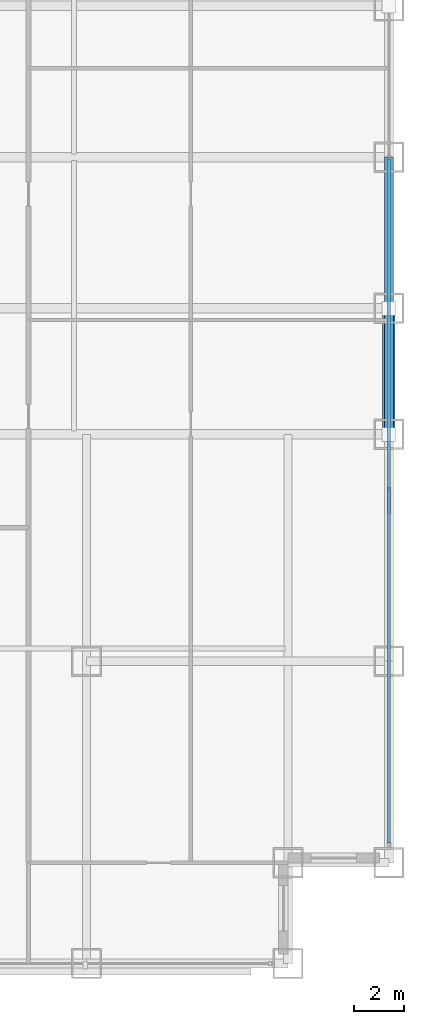
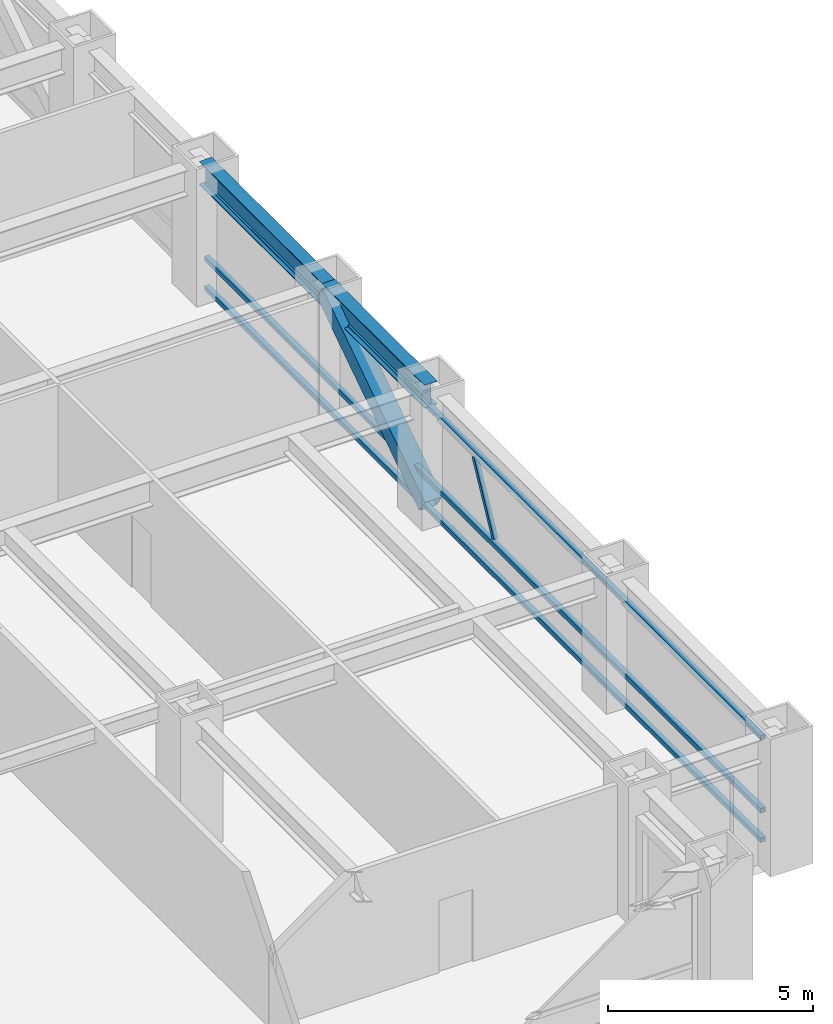
# One storey, part 13 of 32: 5 members, 2 beams, 1 element without a shape of its own.
"""IFC4 building model written with IfcOpenShell, lengths in metres."""

import ifcopenshell
import ifcopenshell.guid

model = None  # the IFC model being written
_history = None  # IfcOwnerHistory: only IFC2X3 demands one
_inside = {}  # id of a spatial element -> (the spatial element, [elements in it])
_under = {}  # id of a project, library or spatial element -> (it, [spatial elements below it])
_declared = {}  # id of a project -> (the project, [libraries it declares])
_typed = {}  # id of a type object -> (the type object, [elements of that type])
_made_of = {}  # id of a material, layer set ... -> (it, [elements and type objects made of it])


def new_model(schema):
    """Start an empty IFC model of exactly this schema.

    Asked for "IFC4X3", IfcOpenShell would pick the latest addendum, in which some entities
    have other attributes; the version numbers below select the first issue.
    IFC2X3 requires an IfcOwnerHistory on every rooted entity: one is made here for all.
    """
    global model, _history
    if schema == "IFC4X3":
        model = ifcopenshell.file(schema_version=(4, 3, 0, 0))
    else:
        model = ifcopenshell.file(schema=schema)
    _inside.clear()
    _under.clear()
    _declared.clear()
    _typed.clear()
    _made_of.clear()
    _history = None
    if model.schema == "IFC2X3":
        org = make("IfcOrganization", Name="unknown")
        user = make(
            "IfcPersonAndOrganization",
            ThePerson=make("IfcPerson", FamilyName="unknown"),
            TheOrganization=org,
        )
        app = make(
            "IfcApplication",
            ApplicationDeveloper=org,
            Version="unknown",
            ApplicationFullName="unknown",
            ApplicationIdentifier="unknown",
        )
        _history = make(
            "IfcOwnerHistory",
            OwningUser=user,
            OwningApplication=app,
            ChangeAction="ADDED",
            CreationDate=0,
        )
    return model


def make(cls, **values):
    """One entity of the class cls with the attributes given. An attribute that is None is left unset."""
    return model.create_entity(
        cls, **{name: value for name, value in values.items() if value is not None}
    )


def rooted(cls, **values):
    """An entity with a GlobalId (a new one), such as an element, a storey or a relation."""
    return make(cls, GlobalId=ifcopenshell.guid.new(), OwnerHistory=_history, **values)


def si_unit(unit_type, name, prefix=None):
    """IfcSIUnit, for example si_unit("LENGTHUNIT", "METRE", prefix="MILLI")."""
    return make("IfcSIUnit", UnitType=unit_type, Prefix=prefix, Name=name)


def assignment(units):
    """IfcUnitAssignment: the units of a project."""
    return None if units is None else make("IfcUnitAssignment", Units=units)


def point(xyz):
    """IfcCartesianPoint."""
    return None if xyz is None else make("IfcCartesianPoint", Coordinates=xyz)


def direction(xyz):
    """IfcDirection."""
    return None if xyz is None else make("IfcDirection", DirectionRatios=xyz)


def frame(location, z_axis=None, x_axis=None):
    """IfcAxis2Placement3D, a coordinate frame: its origin and axes. An axis left out is left unset."""
    return make(
        "IfcAxis2Placement3D",
        Location=point(location),
        Axis=direction(z_axis),
        RefDirection=direction(x_axis),
    )


def frame_2d(location, x_axis=None):
    """IfcAxis2Placement2D, a coordinate frame in the plane: its origin and x axis."""
    return make(
        "IfcAxis2Placement2D", Location=point(location), RefDirection=direction(x_axis)
    )


def origin():
    """The frame at (0, 0, 0) with its axes left unset."""
    return frame((0.0, 0.0, 0.0))


def origin_2d():
    """The frame at (0, 0) in the plane with its x axis left unset."""
    return frame_2d((0.0, 0.0))


def place(relative_to, where):
    """IfcLocalPlacement: puts the frame where relative to a parent placement (None: the world)."""
    return make(
        "IfcLocalPlacement", PlacementRelTo=relative_to, RelativePlacement=where
    )


def context(
    kind, dimensions, precision=None, world=None, true_north=None, identifier=None
):
    """IfcGeometricRepresentationContext, for example the 3D "Model" context."""
    return make(
        "IfcGeometricRepresentationContext",
        ContextIdentifier=identifier,
        ContextType=kind,
        CoordinateSpaceDimension=dimensions,
        Precision=precision,
        WorldCoordinateSystem=world,
        TrueNorth=true_north,
    )


def subcontext(parent, identifier, kind, view, scale=None):
    """IfcGeometricRepresentationSubContext, for example "Body" below "Model"."""
    return make(
        "IfcGeometricRepresentationSubContext",
        ContextIdentifier=identifier,
        ContextType=kind,
        ParentContext=parent,
        TargetScale=scale,
        TargetView=view,
    )


def project(units=None, contexts=None):
    """IfcProject with its units and contexts."""
    return rooted(
        "IfcProject",
        Name="project",
        RepresentationContexts=contexts,
        UnitsInContext=assignment(units),
    )


def spatial(cls, under=None, at=None, **own):
    """A site, building, storey or space (cls), placed at a placement, below another one or the project."""
    s = rooted(cls, ObjectPlacement=at, **own)
    if under is not None:
        _under.setdefault(under.id(), (under, []))[1].append(s)
    return s


def profile(cls, at=None, kind="AREA", **sizes):
    """A parametric profile (cls). Its sizes go by their IFC names, for example OverallWidth=200.0."""
    return make(cls, ProfileType=kind, Position=at, **sizes)


def hollow_rectangle(**sizes):
    """IfcRectangleHollowProfileDef."""
    return profile("IfcRectangleHollowProfileDef", **sizes)


def i_section(**sizes):
    """IfcIShapeProfileDef."""
    return profile("IfcIShapeProfileDef", **sizes)


def extrude(swept, where, along, depth):
    """IfcExtrudedAreaSolid: the profile swept, set in the frame where, extruded along a direction by depth."""
    return make(
        "IfcExtrudedAreaSolid",
        SweptArea=swept,
        Position=where,
        ExtrudedDirection=direction(along),
        Depth=depth,
    )


def shape(context_of_items, identifier, shape_type, items):
    """IfcShapeRepresentation: the items that make up one representation, for example the "Body"."""
    return make(
        "IfcShapeRepresentation",
        ContextOfItems=context_of_items,
        RepresentationIdentifier=identifier,
        RepresentationType=shape_type,
        Items=items,
    )


def source(mapping_origin, context_of_items, identifier, shape_type, items):
    """IfcRepresentationMap: a shape defined once, which mapped items show again and again."""
    return make(
        "IfcRepresentationMap",
        MappingOrigin=mapping_origin,
        MappedRepresentation=shape(context_of_items, identifier, shape_type, items),
    )


def transform(
    local_origin,
    x_axis=None,
    y_axis=None,
    z_axis=None,
    scale=None,
    scale2=None,
    scale3=None,
    uniform=True,
):
    """IfcCartesianTransformationOperator3D, or its non-uniform kind. x_axis, y_axis, z_axis: its Axis1, 2, 3."""
    if uniform:
        return make(
            "IfcCartesianTransformationOperator3D",
            Axis1=direction(x_axis),
            Axis2=direction(y_axis),
            LocalOrigin=point(local_origin),
            Scale=scale,
            Axis3=direction(z_axis),
        )
    return make(
        "IfcCartesianTransformationOperator3DnonUniform",
        Axis1=direction(x_axis),
        Axis2=direction(y_axis),
        LocalOrigin=point(local_origin),
        Scale=scale,
        Axis3=direction(z_axis),
        Scale2=scale2,
        Scale3=scale3,
    )


def mapped(mapping_source, mapping_target):
    """IfcMappedItem: shows the shape of a source again, moved by a transform."""
    return make(
        "IfcMappedItem", MappingSource=mapping_source, MappingTarget=mapping_target
    )


def material(Name=None, Category=None):
    """IfcMaterial."""
    return make("IfcMaterial", Name=Name, Category=Category)


def material_profile(
    of_material, cross_section, Name=None, Category=None, Priority=None
):
    """IfcMaterialProfile: a cross section and its material."""
    return make(
        "IfcMaterialProfile",
        Name=Name,
        Material=of_material,
        Profile=cross_section,
        Priority=Priority,
        Category=Category,
    )


def profile_set(profiles, Name=None, composite=None):
    """IfcMaterialProfileSet."""
    return make(
        "IfcMaterialProfileSet",
        Name=Name,
        MaterialProfiles=profiles,
        CompositeProfile=composite,
    )


def made_of(thing, what):
    """Note that an element or type object is made of a material, layer set ...; save() writes the relation."""
    if what is not None:
        _made_of.setdefault(what.id(), (what, []))[1].append(thing)
    return thing


def type_object(cls, material=None, **own):
    """A type object (cls), such as IfcWallType, which elements share."""
    return made_of(rooted(cls, **own), material)


def element(
    cls,
    number,
    at=None,
    inside=None,
    cuts=None,
    type_object=None,
    material=None,
    context=None,
    identifier="Body",
    shape_type=None,
    held_by="IfcProductDefinitionShape",
    body=None,
    shapes=None,
    **own,
):
    """One element of the class cls, such as IfcWall. Its Tag is "e" and its number.

    at: its placement. inside: the storey or other place that contains it. cuts: it is an
    opening in that element (IfcRelVoidsElement). A single representation is given by context,
    identifier, shape_type and body (its items); several are given by shapes. held_by: the class
    of the entity that holds the representations. save() writes the other relations.
    """
    e = rooted(cls, Tag="e%d" % number, ObjectPlacement=at, **own)
    if body is not None:
        shapes = [shape(context, identifier, shape_type, body)]
    if shapes is not None:
        e.Representation = make(held_by, Representations=shapes)
    if inside is not None:
        _inside.setdefault(inside.id(), (inside, []))[1].append(e)
    if cuts is not None:
        rooted(
            "IfcRelVoidsElement", RelatingBuildingElement=cuts, RelatedOpeningElement=e
        )
    if type_object is not None:
        _typed.setdefault(type_object.id(), (type_object, []))[1].append(e)
    return made_of(e, material)


def aggregate(whole, parts):
    """IfcRelAggregates: a whole, such as a stair, and the parts it consists of."""
    return rooted("IfcRelAggregates", RelatingObject=whole, RelatedObjects=parts)


def save(model, path):
    """Write the relations noted so far, then the file.

    IfcRelAggregates (storeys below a building ...), IfcRelContainedInSpatialStructure (elements
    in a storey), IfcRelDefinesByType, IfcRelAssociatesMaterial and IfcRelDeclares: one each for
    every whole, place, type object, material and project.
    """
    for whole, parts in _under.values():
        aggregate(whole, parts)
    for where, things in _inside.values():
        rooted(
            "IfcRelContainedInSpatialStructure",
            RelatedElements=things,
            RelatingStructure=where,
        )
    for kind, things in _typed.values():
        rooted("IfcRelDefinesByType", RelatedObjects=things, RelatingType=kind)
    for what, things in _made_of.values():
        rooted("IfcRelAssociatesMaterial", RelatedObjects=things, RelatingMaterial=what)
    for by, libraries in _declared.values():
        rooted("IfcRelDeclares", RelatingContext=by, RelatedDefinitions=libraries)
    model.write(path)


model = new_model("IFC4")

# Units and contexts
model_context = context("Model", 3, precision=1e-05, world=origin(), true_north=direction((0.0, 1.0)))
body_context = subcontext(model_context, "Body", "Model", "MODEL_VIEW")
ifc_project = project(units=[si_unit("LENGTHUNIT", "METRE"), si_unit("AREAUNIT", "SQUARE_METRE"), si_unit("VOLUMEUNIT", "CUBIC_METRE"), si_unit("PLANEANGLEUNIT", "RADIAN"), si_unit("MASSUNIT", "GRAM", prefix="KILO")], contexts=[model_context])

# Site, building, storey
site_placement = place(None, origin())
site = spatial("IfcSite", under=ifc_project, at=site_placement, CompositionType="ELEMENT")
building_placement = place(site_placement, origin())
building = spatial("IfcBuilding", under=site, at=building_placement, Name="Khorayat Bourse Tower", CompositionType="ELEMENT")
storey_placement = place(building_placement, frame((0.0, 0.0, 136.5)))
storey = spatial("IfcBuildingStorey", under=building, at=storey_placement, Name="L31", CompositionType="ELEMENT", Elevation=136.5)

# Beams
ifc_material_1 = material(Name="Steel ASTM A992 Grade 50", Category="steel")
ifc_material_profile_1 = material_profile(ifc_material_1, i_section(OverallWidth=0.35498046875, OverallDepth=0.695068359375, WebThickness=0.015380859375, FlangeThickness=0.02490234375, FilletRadius=0.01806640625, at=origin_2d()), Name="W690X217")
ifc_profile_set_1 = profile_set([ifc_material_profile_1], Name="Steel ASTM A992 Grade 50")
beam_type = type_object("IfcBeamType", Name="BM-SPAN-690", PredefinedType="SPANDREL", material=ifc_profile_set_1)
shared_shape_1 = source(origin(), body_context, "Body", "SweptSolid", [
    extrude(i_section(OverallWidth=0.35498046875, OverallDepth=0.695068359375, WebThickness=0.015380859375, FlangeThickness=0.02490234375, FilletRadius=0.01806640625, at=origin_2d()), origin(), (0.0, 0.0, 1.0), 5.0),
])
beam_1_placement = place(storey_placement, frame((32.0, -11.0, 3.492431640625), z_axis=(0.0, 1.0, 0.0), x_axis=(-1.0, 0.0, 0.0)))
element("IfcBeam", 1, at=beam_1_placement, inside=storey, type_object=beam_type, Name="L31 BM-SPAN-690 BM-L31-SPN-036", PredefinedType="SPANDREL", context=body_context, shape_type="MappedRepresentation", body=[
    mapped(shared_shape_1, transform((0.0, 0.0, 0.0), scale=1.0)),
])
shared_shape_2 = source(origin(), body_context, "Body", "SweptSolid", [
    extrude(i_section(OverallWidth=0.35498046875, OverallDepth=0.695068359375, WebThickness=0.015380859375, FlangeThickness=0.02490234375, FilletRadius=0.01806640625, at=origin_2d()), origin(), (0.0, 0.0, 1.0), 6.0),
])
beam_2_placement = place(storey_placement, frame((32.0, -6.0, 3.492431640625), z_axis=(0.0, 1.0, 0.0), x_axis=(-1.0, 0.0, 0.0)))
element("IfcBeam", 2, at=beam_2_placement, inside=storey, type_object=beam_type, Name="L31 BM-SPAN-690 BM-L31-SPN-037", PredefinedType="SPANDREL", context=body_context, shape_type="MappedRepresentation", body=[
    mapped(shared_shape_2, transform((0.0, 0.0, 0.0), scale=1.0)),
])

# Member
ifc_material_2 = material(Name="Steel EN 10025-4 S460M", Category="steel")
ifc_material_profile_2 = material_profile(ifc_material_2, hollow_rectangle(XDim=0.5, YDim=0.5, WallThickness=0.028076171875, at=origin_2d()), Name="HSS 500x500x28")
ifc_profile_set_2 = profile_set([ifc_material_profile_2], Name="Steel EN 10025-4 S460M")
member_type_1 = type_object("IfcMemberType", Name="MBR-TUBE-500", PredefinedType="BRACE", material=ifc_profile_set_2)
shared_shape_3 = source(origin(), body_context, "Body", "SweptSolid", [
    extrude(hollow_rectangle(XDim=0.5, YDim=0.5, WallThickness=0.028076171875, at=origin_2d()), origin(), (0.0, 0.0, 1.0), 6.012939453125),
])
member_1_placement = place(storey_placement, frame((32.0, -11.0, 0.25), z_axis=(0.0, 0.831531473026, 0.555477640745), x_axis=(-1.0, 0.0, 0.0)))
element("IfcMember", 3, at=member_1_placement, inside=storey, type_object=member_type_1, Name="L31 Perimeter Tube Brace 07", PredefinedType="BRACE", context=body_context, shape_type="MappedRepresentation", body=[
    mapped(shared_shape_3, transform((0.0, 0.0, 0.0), scale=1.0)),
])

# Curtain wall, members
ifc_material_3 = material(Name="Aluminium EN AW-6063 T6", Category="aluminium")
curtain_wall_type = type_object("IfcCurtainWallType", Name="CW-SYS-02", PredefinedType="NOTDEFINED", material=ifc_material_3)
curtain_wall_placement = place(storey_placement, origin())
curtain_wall = element("IfcCurtainWall", 4, at=curtain_wall_placement, inside=storey, type_object=curtain_wall_type, Name="L31 Curtain Wall CW-L31-E1", PredefinedType="NOTDEFINED")
ifc_material_profile_3 = material_profile(ifc_material_3, hollow_rectangle(XDim=0.139892578125, YDim=0.139892578125, WallThickness=0.006103515625, at=origin_2d()), Name="ALU 140x140x6")
ifc_profile_set_3 = profile_set([ifc_material_profile_3], Name="Aluminium EN AW-6063 T6")
member_type_2 = type_object("IfcMemberType", Name="CWT-HORZ-140", PredefinedType="USERDEFINED", material=ifc_profile_set_3)
shared_shape_4 = source(origin(), body_context, "Body", "SweptSolid", [
    extrude(hollow_rectangle(XDim=0.139892578125, YDim=0.139892578125, WallThickness=0.006103515625, at=origin_2d()), origin(), (0.0, 0.0, 1.0), 27.139892578125),
])
member_2_placement = place(storey_placement, frame((32.0, -27.2099609375, 0.070068359375), z_axis=(0.0, 1.0, 0.0), x_axis=(-1.0, 0.0, 0.0)))
member_2 = element("IfcMember", 5, at=member_2_placement, type_object=member_type_2, Name="CW-L31-E1 Horizontal Transom 1-1", ObjectType="TRANSOM", PredefinedType="USERDEFINED", context=body_context, shape_type="MappedRepresentation", body=[
    mapped(shared_shape_4, transform((0.0, 0.0, 0.0), scale=1.0)),
])
member_3_placement = place(storey_placement, frame((32.0, -27.2099609375, 0.949951171875), z_axis=(0.0, 1.0, 0.0), x_axis=(-1.0, 0.0, 0.0)))
member_3 = element("IfcMember", 6, at=member_3_placement, type_object=member_type_2, Name="CW-L31-E1 Horizontal Transom 1-2", ObjectType="TRANSOM", PredefinedType="USERDEFINED", context=body_context, shape_type="MappedRepresentation", body=[
    mapped(shared_shape_4, transform((0.0, 0.0, 0.0), scale=1.0)),
])
member_4_placement = place(storey_placement, frame((32.0, -27.2099609375, 3.1201171875), z_axis=(0.0, 1.0, 0.0), x_axis=(-1.0, 0.0, 0.0)))
member_4 = element("IfcMember", 7, at=member_4_placement, type_object=member_type_2, Name="CW-L31-E1 Horizontal Transom 1-3", ObjectType="TRANSOM", PredefinedType="USERDEFINED", context=body_context, shape_type="MappedRepresentation", body=[
    mapped(shared_shape_4, transform((0.0, 0.0, 0.0), scale=1.0)),
])
ifc_material_profile_4 = material_profile(ifc_material_3, hollow_rectangle(XDim=0.1201171875, YDim=0.1201171875, WallThickness=0.0048828125, at=origin_2d()), Name="ALU 120x120x5")
ifc_profile_set_4 = profile_set([ifc_material_profile_4], Name="Aluminium EN AW-6063 T6")
member_type_3 = type_object("IfcMemberType", Name="CWM-DIAG-120", PredefinedType="MULLION", material=ifc_profile_set_4)
shared_shape_5 = source(origin(), body_context, "Body", "SweptSolid", [
    extrude(hollow_rectangle(XDim=0.1201171875, YDim=0.1201171875, WallThickness=0.0048828125, at=origin_2d()), origin(), (0.0, 0.0, 1.0), 2.113037109375),
])
member_5_placement = place(storey_placement, frame((32.0, -14.132080078125, 1.10009765625), z_axis=(0.0, 0.465741670874, 0.884920728659), x_axis=(-1.0, 0.0, 0.0)))
member_5 = element("IfcMember", 8, at=member_5_placement, type_object=member_type_3, Name="CW-L31-E1 Faceted Diagonal Mullion 1", PredefinedType="MULLION", context=body_context, shape_type="MappedRepresentation", body=[
    mapped(shared_shape_5, transform((0.0, 0.0, 0.0), scale=1.0)),
])
aggregate(curtain_wall, [member_2, member_3, member_4, member_5])

save(model, "model.ifc")
